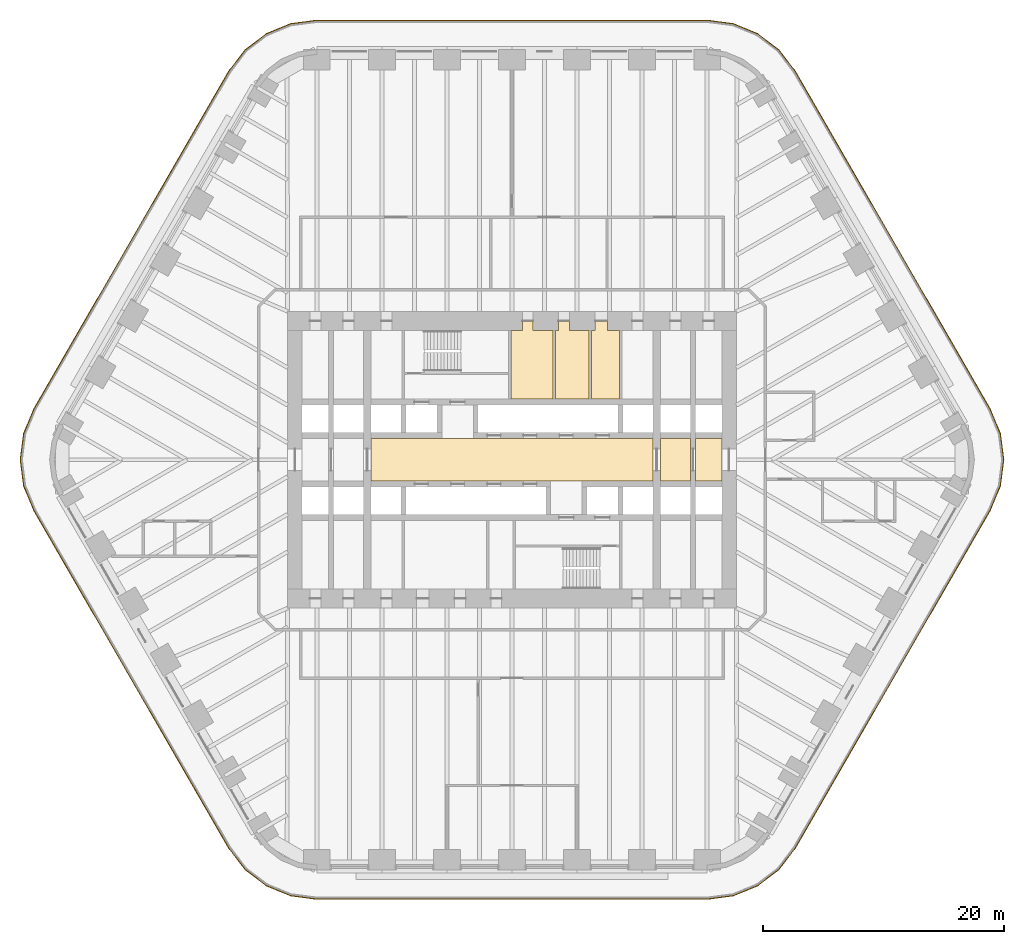
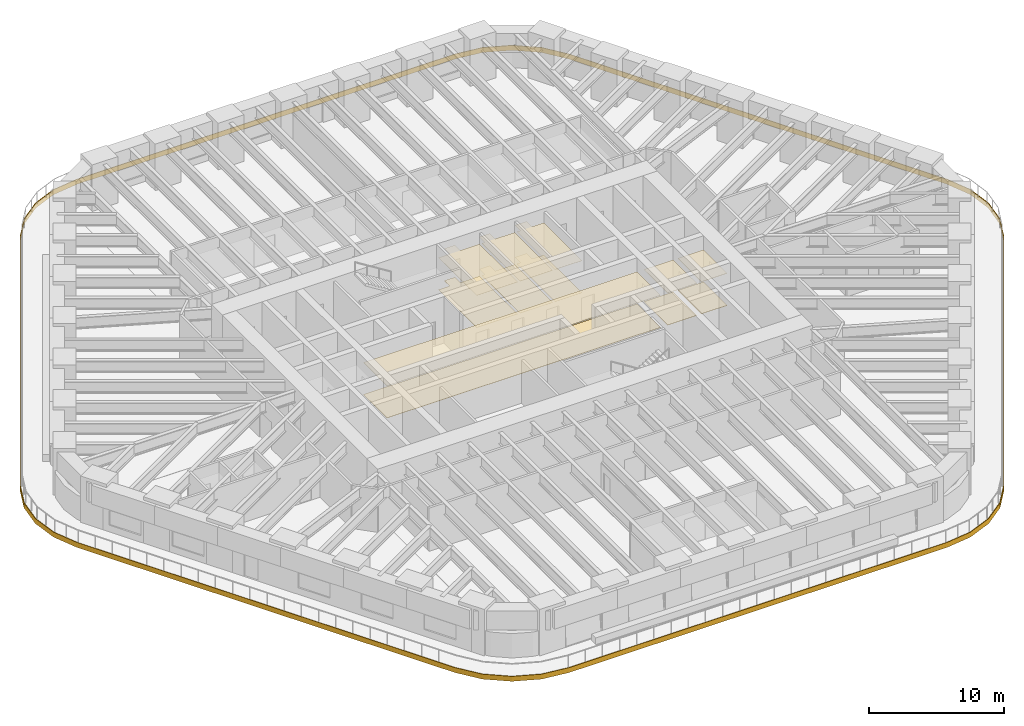
# One storey, part 15 of 16: 13 coverings.
"""IFC4 building model written with IfcOpenShell, lengths in metres."""

import ifcopenshell
import ifcopenshell.guid

model = None  # the IFC model being written
_history = None  # IfcOwnerHistory: only IFC2X3 demands one
_inside = {}  # id of a spatial element -> (the spatial element, [elements in it])
_under = {}  # id of a project, library or spatial element -> (it, [spatial elements below it])
_declared = {}  # id of a project -> (the project, [libraries it declares])
_typed = {}  # id of a type object -> (the type object, [elements of that type])
_made_of = {}  # id of a material, layer set ... -> (it, [elements and type objects made of it])


def new_model(schema):
    """Start an empty IFC model of exactly this schema.

    Asked for "IFC4X3", IfcOpenShell would pick the latest addendum, in which some entities
    have other attributes; the version numbers below select the first issue.
    IFC2X3 requires an IfcOwnerHistory on every rooted entity: one is made here for all.
    """
    global model, _history
    if schema == "IFC4X3":
        model = ifcopenshell.file(schema_version=(4, 3, 0, 0))
    else:
        model = ifcopenshell.file(schema=schema)
    _inside.clear()
    _under.clear()
    _declared.clear()
    _typed.clear()
    _made_of.clear()
    _history = None
    if model.schema == "IFC2X3":
        org = make("IfcOrganization", Name="unknown")
        user = make(
            "IfcPersonAndOrganization",
            ThePerson=make("IfcPerson", FamilyName="unknown"),
            TheOrganization=org,
        )
        app = make(
            "IfcApplication",
            ApplicationDeveloper=org,
            Version="unknown",
            ApplicationFullName="unknown",
            ApplicationIdentifier="unknown",
        )
        _history = make(
            "IfcOwnerHistory",
            OwningUser=user,
            OwningApplication=app,
            ChangeAction="ADDED",
            CreationDate=0,
        )
    return model


def make(cls, **values):
    """One entity of the class cls with the attributes given. An attribute that is None is left unset."""
    return model.create_entity(
        cls, **{name: value for name, value in values.items() if value is not None}
    )


def rooted(cls, **values):
    """An entity with a GlobalId (a new one), such as an element, a storey or a relation."""
    return make(cls, GlobalId=ifcopenshell.guid.new(), OwnerHistory=_history, **values)


def si_unit(unit_type, name, prefix=None):
    """IfcSIUnit, for example si_unit("LENGTHUNIT", "METRE", prefix="MILLI")."""
    return make("IfcSIUnit", UnitType=unit_type, Prefix=prefix, Name=name)


def assignment(units):
    """IfcUnitAssignment: the units of a project."""
    return None if units is None else make("IfcUnitAssignment", Units=units)


def point(xyz):
    """IfcCartesianPoint."""
    return None if xyz is None else make("IfcCartesianPoint", Coordinates=xyz)


def direction(xyz):
    """IfcDirection."""
    return None if xyz is None else make("IfcDirection", DirectionRatios=xyz)


def frame(location, z_axis=None, x_axis=None):
    """IfcAxis2Placement3D, a coordinate frame: its origin and axes. An axis left out is left unset."""
    return make(
        "IfcAxis2Placement3D",
        Location=point(location),
        Axis=direction(z_axis),
        RefDirection=direction(x_axis),
    )


def origin():
    """The frame at (0, 0, 0) with its axes left unset."""
    return frame((0.0, 0.0, 0.0))


def place(relative_to, where):
    """IfcLocalPlacement: puts the frame where relative to a parent placement (None: the world)."""
    return make(
        "IfcLocalPlacement", PlacementRelTo=relative_to, RelativePlacement=where
    )


def context(
    kind, dimensions, precision=None, world=None, true_north=None, identifier=None
):
    """IfcGeometricRepresentationContext, for example the 3D "Model" context."""
    return make(
        "IfcGeometricRepresentationContext",
        ContextIdentifier=identifier,
        ContextType=kind,
        CoordinateSpaceDimension=dimensions,
        Precision=precision,
        WorldCoordinateSystem=world,
        TrueNorth=true_north,
    )


def subcontext(parent, identifier, kind, view, scale=None):
    """IfcGeometricRepresentationSubContext, for example "Body" below "Model"."""
    return make(
        "IfcGeometricRepresentationSubContext",
        ContextIdentifier=identifier,
        ContextType=kind,
        ParentContext=parent,
        TargetScale=scale,
        TargetView=view,
    )


def project(units=None, contexts=None):
    """IfcProject with its units and contexts."""
    return rooted(
        "IfcProject",
        Name="project",
        RepresentationContexts=contexts,
        UnitsInContext=assignment(units),
    )


def spatial(cls, under=None, at=None, **own):
    """A site, building, storey or space (cls), placed at a placement, below another one or the project."""
    s = rooted(cls, ObjectPlacement=at, **own)
    if under is not None:
        _under.setdefault(under.id(), (under, []))[1].append(s)
    return s


def polyline(points):
    """IfcPolyline through the points."""
    return make("IfcPolyline", Points=[point(p) for p in points])


def outline(outer, holes=None, kind="AREA"):
    """IfcArbitraryClosedProfileDef: a profile drawn as a closed curve; with holes, ...WithVoids."""
    if holes is None:
        return make("IfcArbitraryClosedProfileDef", ProfileType=kind, OuterCurve=outer)
    return make(
        "IfcArbitraryProfileDefWithVoids",
        ProfileType=kind,
        OuterCurve=outer,
        InnerCurves=holes,
    )


def extrude(swept, where, along, depth):
    """IfcExtrudedAreaSolid: the profile swept, set in the frame where, extruded along a direction by depth."""
    return make(
        "IfcExtrudedAreaSolid",
        SweptArea=swept,
        Position=where,
        ExtrudedDirection=direction(along),
        Depth=depth,
    )


def shape(context_of_items, identifier, shape_type, items):
    """IfcShapeRepresentation: the items that make up one representation, for example the "Body"."""
    return make(
        "IfcShapeRepresentation",
        ContextOfItems=context_of_items,
        RepresentationIdentifier=identifier,
        RepresentationType=shape_type,
        Items=items,
    )


def material(Name=None, Category=None):
    """IfcMaterial."""
    return make("IfcMaterial", Name=Name, Category=Category)


def layer(
    of_material, thickness, ventilated=None, Name=None, Category=None, Priority=None
):
    """IfcMaterialLayer: one layer of a wall or slab, of a material (None: an air gap)."""
    return make(
        "IfcMaterialLayer",
        Material=of_material,
        LayerThickness=thickness,
        IsVentilated=ventilated,
        Name=Name,
        Category=Category,
        Priority=Priority,
    )


def layer_set(layers, Name=None):
    """IfcMaterialLayerSet."""
    return make("IfcMaterialLayerSet", MaterialLayers=layers, LayerSetName=Name)


def made_of(thing, what):
    """Note that an element or type object is made of a material, layer set ...; save() writes the relation."""
    if what is not None:
        _made_of.setdefault(what.id(), (what, []))[1].append(thing)
    return thing


def type_object(cls, material=None, **own):
    """A type object (cls), such as IfcWallType, which elements share."""
    return made_of(rooted(cls, **own), material)


def element(
    cls,
    number,
    at=None,
    inside=None,
    cuts=None,
    type_object=None,
    material=None,
    context=None,
    identifier="Body",
    shape_type=None,
    held_by="IfcProductDefinitionShape",
    body=None,
    shapes=None,
    **own,
):
    """One element of the class cls, such as IfcWall. Its Tag is "e" and its number.

    at: its placement. inside: the storey or other place that contains it. cuts: it is an
    opening in that element (IfcRelVoidsElement). A single representation is given by context,
    identifier, shape_type and body (its items); several are given by shapes. held_by: the class
    of the entity that holds the representations. save() writes the other relations.
    """
    e = rooted(cls, Tag="e%d" % number, ObjectPlacement=at, **own)
    if body is not None:
        shapes = [shape(context, identifier, shape_type, body)]
    if shapes is not None:
        e.Representation = make(held_by, Representations=shapes)
    if inside is not None:
        _inside.setdefault(inside.id(), (inside, []))[1].append(e)
    if cuts is not None:
        rooted(
            "IfcRelVoidsElement", RelatingBuildingElement=cuts, RelatedOpeningElement=e
        )
    if type_object is not None:
        _typed.setdefault(type_object.id(), (type_object, []))[1].append(e)
    return made_of(e, material)


def aggregate(whole, parts):
    """IfcRelAggregates: a whole, such as a stair, and the parts it consists of."""
    return rooted("IfcRelAggregates", RelatingObject=whole, RelatedObjects=parts)


def save(model, path):
    """Write the relations noted so far, then the file.

    IfcRelAggregates (storeys below a building ...), IfcRelContainedInSpatialStructure (elements
    in a storey), IfcRelDefinesByType, IfcRelAssociatesMaterial and IfcRelDeclares: one each for
    every whole, place, type object, material and project.
    """
    for whole, parts in _under.values():
        aggregate(whole, parts)
    for where, things in _inside.values():
        rooted(
            "IfcRelContainedInSpatialStructure",
            RelatedElements=things,
            RelatingStructure=where,
        )
    for kind, things in _typed.values():
        rooted("IfcRelDefinesByType", RelatedObjects=things, RelatingType=kind)
    for what, things in _made_of.values():
        rooted("IfcRelAssociatesMaterial", RelatedObjects=things, RelatingMaterial=what)
    for by, libraries in _declared.values():
        rooted("IfcRelDeclares", RelatingContext=by, RelatedDefinitions=libraries)
    model.write(path)


model = new_model("IFC4")

# Units and contexts
model_context = context("Model", 3, precision=1e-05, world=origin(), true_north=direction((0.0, 1.0)))
body_context = subcontext(model_context, "Body", "Model", "MODEL_VIEW")
ifc_project = project(units=[si_unit("LENGTHUNIT", "METRE"), si_unit("AREAUNIT", "SQUARE_METRE"), si_unit("VOLUMEUNIT", "CUBIC_METRE"), si_unit("PLANEANGLEUNIT", "RADIAN"), si_unit("MASSUNIT", "GRAM", prefix="KILO")], contexts=[model_context])

# Site, building, storey
site_placement = place(None, origin())
site = spatial("IfcSite", under=ifc_project, at=site_placement, CompositionType="ELEMENT")
building_placement = place(site_placement, origin())
building = spatial("IfcBuilding", under=site, at=building_placement, Name="Tarfa Lantern Tower", CompositionType="ELEMENT")
storey_placement = place(building_placement, frame((0.0, 0.0, 103.300048828125)))
storey = spatial("IfcBuildingStorey", under=building, at=storey_placement, Name="L23", CompositionType="ELEMENT", Elevation=103.300048828125)

# Coverings
ifc_material_1 = material(Name="Moisture-resistant plasterboard", Category="finish")
ifc_layer_1 = layer(ifc_material_1, 0.014892578125)
ifc_layer_set_1 = layer_set([ifc_layer_1], Name="CL2 MOISTURE-RESISTANT PLASTERBOARD CEILING 15")
covering_type_1 = type_object("IfcCoveringType", Name="CL2 MOISTURE-RESISTANT PLASTERBOARD CEILING 15", PredefinedType="CEILING", material=ifc_layer_set_1)
covering_1_placement = place(storey_placement, frame((0.0, 0.0, 2.89990234375)))
element("IfcCovering", 1, at=covering_1_placement, inside=storey, type_object=covering_type_1, Name="Ceiling L23-09", PredefinedType="CEILING", context=body_context, shape_type="SweptSolid", body=[
    extrude(outline(polyline([(0.85009765625, 10.699951171875), (-0.10009765625, 10.699951171875), (-0.10009765625, 5.050048828125), (3.39990234375, 5.050048828125), (3.39990234375, 10.699951171875), (1.75, 10.699951171875), (1.75, 11.5), (0.85009765625, 11.5), (0.85009765625, 11.5), (0.85009765625, 10.699951171875)])), origin(), (0.0, 0.0, 1.0), 0.01513671875),
])
covering_2_placement = place(storey_placement, frame((0.0, 0.0, 2.89990234375)))
element("IfcCovering", 2, at=covering_2_placement, inside=storey, type_object=covering_type_1, Name="Ceiling L23-10", PredefinedType="CEILING", context=body_context, shape_type="SweptSolid", body=[
    extrude(outline(polyline([(3.60009765625, 5.050048828125), (6.39990234375, 5.050048828125), (6.39990234375, 10.699951171875), (4.75, 10.699951171875), (4.75, 11.5), (3.85009765625, 11.5), (3.85009765625, 10.699951171875), (3.60009765625, 10.699951171875), (3.60009765625, 5.050048828125)])), origin(), (0.0, 0.0, 1.0), 0.01513671875),
])
covering_3_placement = place(storey_placement, frame((0.0, 0.0, 2.89990234375)))
element("IfcCovering", 3, at=covering_3_placement, inside=storey, type_object=covering_type_1, Name="Ceiling L23-11", PredefinedType="CEILING", context=body_context, shape_type="SweptSolid", body=[
    extrude(outline(polyline([(6.60009765625, 5.050048828125), (8.89990234375, 5.050048828125), (8.89990234375, 10.699951171875), (7.89990234375, 10.699951171875), (7.89990234375, 11.5), (6.89990234375, 11.5), (6.89990234375, 10.699951171875), (6.60009765625, 10.699951171875), (6.60009765625, 5.050048828125)])), origin(), (0.0, 0.0, 1.0), 0.01513671875),
])
ifc_material_2 = material(Name="Powder-coated aluminium panel", Category="aluminium")
ifc_layer_2 = layer(ifc_material_2, 0.030029296875)
ifc_layer_set_2 = layer_set([ifc_layer_2], Name="CL3 METAL PANEL CEILING 30")
covering_type_2 = type_object("IfcCoveringType", Name="CL3 METAL PANEL CEILING 30", PredefinedType="CEILING", material=ifc_layer_set_2)
covering_4_placement = place(storey_placement, frame((0.0, 0.0, 2.89990234375)))
element("IfcCovering", 4, at=covering_4_placement, inside=storey, type_object=covering_type_2, Name="Ceiling L23-03", PredefinedType="CEILING", context=body_context, shape_type="SweptSolid", body=[
    extrude(outline(polyline([(-11.699951171875, -1.75), (11.699951171875, -1.75), (11.699951171875, 1.75), (-11.699951171875, 1.75), (-11.699951171875, -1.75)])), origin(), (0.0, 0.0, 1.0), 0.030029296875),
])
covering_5_placement = place(storey_placement, frame((0.0, 0.0, 2.89990234375)))
element("IfcCovering", 5, at=covering_5_placement, inside=storey, type_object=covering_type_2, Name="Ceiling L23-04", PredefinedType="CEILING", context=body_context, shape_type="SweptSolid", body=[
    extrude(outline(polyline([(12.300048828125, -1.75), (14.800048828125, -1.75), (14.800048828125, 1.75), (12.300048828125, 1.75), (12.300048828125, -1.75)])), origin(), (0.0, 0.0, 1.0), 0.030029296875),
])
covering_6_placement = place(storey_placement, frame((0.0, 0.0, 2.89990234375)))
element("IfcCovering", 6, at=covering_6_placement, inside=storey, type_object=covering_type_2, Name="Ceiling L23-05", PredefinedType="CEILING", context=body_context, shape_type="SweptSolid", body=[
    extrude(outline(polyline([(15.199951171875, -1.75), (17.39990234375, -1.75), (17.39990234375, 1.75), (15.199951171875, 1.75), (15.199951171875, -1.75)])), origin(), (0.0, 0.0, 1.0), 0.030029296875),
])
ifc_material_3 = material(Name="Honed limestone flooring", Category="masonry")
ifc_layer_3 = layer(ifc_material_3, 0.030029296875)
ifc_layer_set_3 = layer_set([ifc_layer_3], Name="FL2 STONE FLOORING 30")
covering_type_3 = type_object("IfcCoveringType", Name="FL2 STONE FLOORING 30", PredefinedType="FLOORING", material=ifc_layer_set_3)
covering_7_placement = place(storey_placement, origin())
element("IfcCovering", 7, at=covering_7_placement, inside=storey, type_object=covering_type_3, Name="Floor finish L23-03", PredefinedType="FLOORING", context=body_context, shape_type="SweptSolid", body=[
    extrude(outline(polyline([(-11.699951171875, -1.75), (11.699951171875, -1.75), (11.699951171875, 1.75), (-11.699951171875, 1.75), (-11.699951171875, -1.75)])), origin(), (0.0, 0.0, 1.0), 0.030029296875),
])
covering_8_placement = place(storey_placement, origin())
element("IfcCovering", 8, at=covering_8_placement, inside=storey, type_object=covering_type_3, Name="Floor finish L23-04", PredefinedType="FLOORING", context=body_context, shape_type="SweptSolid", body=[
    extrude(outline(polyline([(12.300048828125, -1.75), (14.800048828125, -1.75), (14.800048828125, 1.75), (12.300048828125, 1.75), (12.300048828125, -1.75)])), origin(), (0.0, 0.0, 1.0), 0.030029296875),
])
covering_9_placement = place(storey_placement, origin())
element("IfcCovering", 9, at=covering_9_placement, inside=storey, type_object=covering_type_3, Name="Floor finish L23-05", PredefinedType="FLOORING", context=body_context, shape_type="SweptSolid", body=[
    extrude(outline(polyline([(15.199951171875, -1.75), (17.39990234375, -1.75), (17.39990234375, 1.75), (15.199951171875, 1.75), (15.199951171875, -1.75)])), origin(), (0.0, 0.0, 1.0), 0.030029296875),
])
ifc_material_4 = material(Name="Porcelain floor tile", Category="finish")
ifc_layer_4 = layer(ifc_material_4, 0.011962890625)
ifc_layer_set_4 = layer_set([ifc_layer_4], Name="FL3 CERAMIC TILE 12")
covering_type_4 = type_object("IfcCoveringType", Name="FL3 CERAMIC TILE 12", PredefinedType="FLOORING", material=ifc_layer_set_4)
covering_10_placement = place(storey_placement, origin())
element("IfcCovering", 10, at=covering_10_placement, inside=storey, type_object=covering_type_4, Name="Floor finish L23-09", PredefinedType="FLOORING", context=body_context, shape_type="SweptSolid", body=[
    extrude(outline(polyline([(0.85009765625, 10.699951171875), (-0.10009765625, 10.699951171875), (-0.10009765625, 5.050048828125), (3.39990234375, 5.050048828125), (3.39990234375, 10.699951171875), (1.75, 10.699951171875), (1.75, 11.5), (0.85009765625, 11.5), (0.85009765625, 11.5), (0.85009765625, 10.699951171875)])), origin(), (0.0, 0.0, 1.0), 0.011962890625),
])
covering_11_placement = place(storey_placement, origin())
element("IfcCovering", 11, at=covering_11_placement, inside=storey, type_object=covering_type_4, Name="Floor finish L23-10", PredefinedType="FLOORING", context=body_context, shape_type="SweptSolid", body=[
    extrude(outline(polyline([(3.60009765625, 5.050048828125), (6.39990234375, 5.050048828125), (6.39990234375, 10.699951171875), (4.75, 10.699951171875), (4.75, 11.5), (3.85009765625, 11.5), (3.85009765625, 10.699951171875), (3.60009765625, 10.699951171875), (3.60009765625, 5.050048828125)])), origin(), (0.0, 0.0, 1.0), 0.011962890625),
])
covering_12_placement = place(storey_placement, origin())
element("IfcCovering", 12, at=covering_12_placement, inside=storey, type_object=covering_type_4, Name="Floor finish L23-11", PredefinedType="FLOORING", context=body_context, shape_type="SweptSolid", body=[
    extrude(outline(polyline([(6.60009765625, 5.050048828125), (8.89990234375, 5.050048828125), (8.89990234375, 10.699951171875), (7.89990234375, 10.699951171875), (7.89990234375, 11.5), (6.89990234375, 11.5), (6.89990234375, 10.699951171875), (6.60009765625, 10.699951171875), (6.60009765625, 5.050048828125)])), origin(), (0.0, 0.0, 1.0), 0.011962890625),
])
ifc_material_5 = material(Name="Limestone cladding on brackets", Category="masonry")
ifc_layer_5 = layer(ifc_material_5, 0.050048828125)
ifc_layer_set_5 = layer_set([ifc_layer_5], Name="SB1 STONE BAND CLADDING 50")
covering_type_5 = type_object("IfcCoveringType", Name="SB1 STONE BAND CLADDING 50", PredefinedType="CLADDING", material=ifc_layer_set_5)
covering_13_placement = place(storey_placement, frame((0.0, 0.0, -0.400146484375)))
element("IfcCovering", 13, at=covering_13_placement, inside=storey, type_object=covering_type_5, Name="Stone band", PredefinedType="CLADDING", context=body_context, shape_type="SweptSolid", body=[
    extrude(outline(polyline([(39.6494140625, 4.22509765625), (23.483642578125, 32.22509765625), (22.140869140625, 33.97509765625), (20.390869140625, 35.31787109375), (18.352783203125, 36.162109375), (16.165771484375, 36.449951171875), (-16.165771484375, 36.449951171875), (-18.352783203125, 36.162109375), (-20.390869140625, 35.31787109375), (-22.140869140625, 33.97509765625), (-23.483642578125, 32.22509765625), (-39.6494140625, 4.22509765625), (-40.49365234375, 2.18701171875), (-40.781494140625, 0.0), (-40.49365234375, -2.18701171875), (-39.6494140625, -4.22509765625), (-23.483642578125, -32.22509765625), (-22.140869140625, -33.97509765625), (-20.390869140625, -35.31787109375), (-18.352783203125, -36.162109375), (-16.165771484375, -36.449951171875), (16.165771484375, -36.449951171875), (18.352783203125, -36.162109375), (20.390869140625, -35.31787109375), (22.140869140625, -33.97509765625), (23.483642578125, -32.22509765625), (39.6494140625, -4.22509765625), (40.49365234375, -2.18701171875), (40.781494140625, 0.0), (40.49365234375, 2.18701171875), (39.6494140625, 4.22509765625)]), holes=[polyline([(39.606201171875, 4.199951171875), (23.4404296875, 32.199951171875), (22.10546875, 33.939697265625), (20.36572265625, 35.274658203125), (18.33984375, 36.11376953125), (16.165771484375, 36.39990234375), (-16.165771484375, 36.39990234375), (-18.33984375, 36.11376953125), (-20.36572265625, 35.274658203125), (-22.10546875, 33.939697265625), (-23.4404296875, 32.199951171875), (-39.606201171875, 4.199951171875), (-40.4453125, 2.174072265625), (-40.731689453125, 0.0), (-40.4453125, -2.174072265625), (-39.606201171875, -4.199951171875), (-23.4404296875, -32.199951171875), (-22.10546875, -33.939697265625), (-20.36572265625, -35.274658203125), (-18.33984375, -36.11376953125), (-16.165771484375, -36.39990234375), (16.165771484375, -36.39990234375), (18.33984375, -36.11376953125), (20.36572265625, -35.274658203125), (22.10546875, -33.939697265625), (23.4404296875, -32.199951171875), (39.606201171875, -4.199951171875), (40.4453125, -2.174072265625), (40.731689453125, 0.0), (40.4453125, 2.174072265625), (39.606201171875, 4.199951171875)])]), origin(), (0.0, 0.0, 1.0), 0.4501953125),
])

save(model, "model.ifc")
